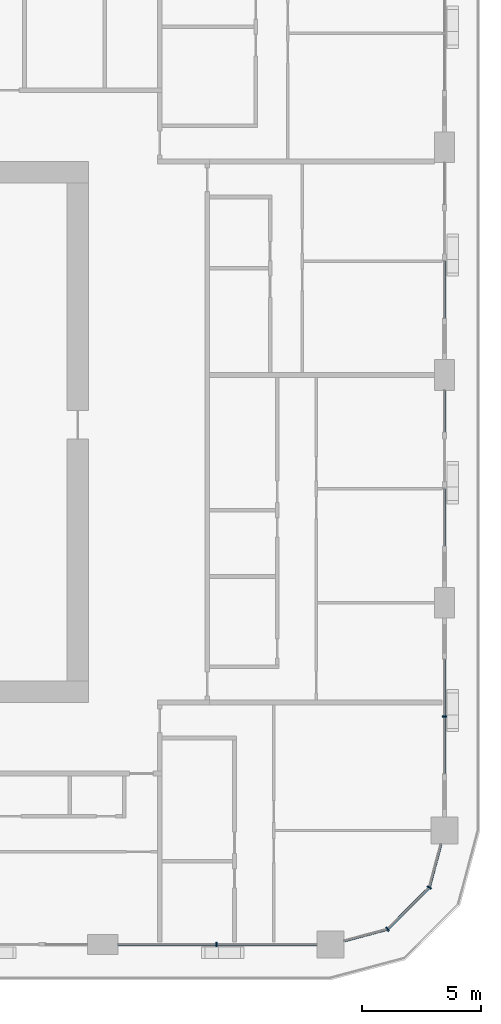
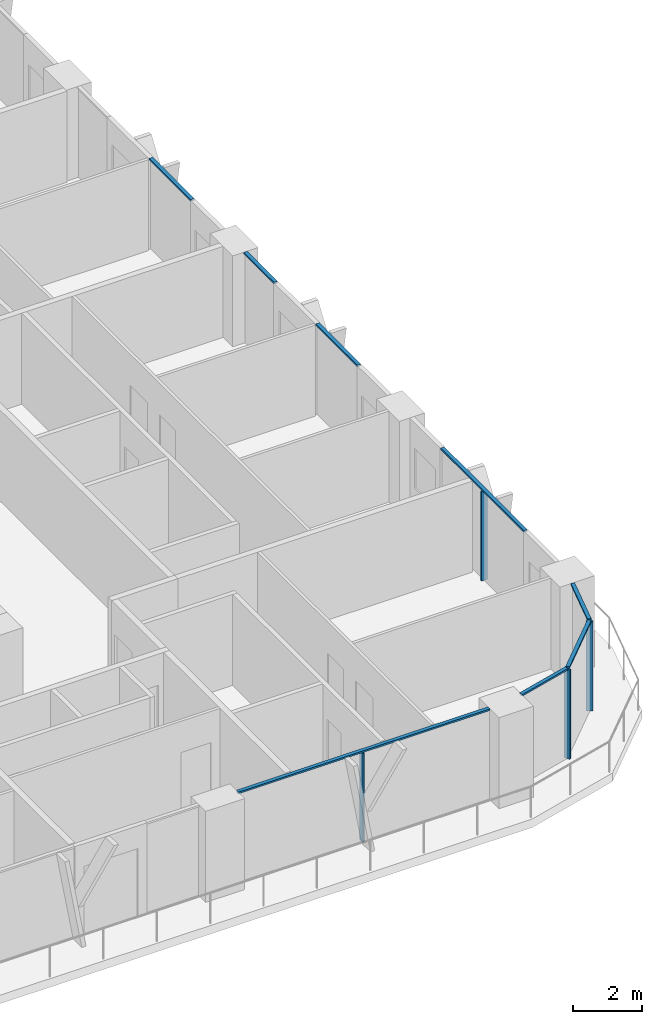
# One storey, part 4 of 21: 12 members, 5 elements without a shape of their own.
"""IFC4 building model written with IfcOpenShell, lengths in metres."""

from ifc_helpers import new_model, si_unit, direction, frame, origin, origin_2d, place, context, subcontext, project, spatial, rectangle, extrude, material, layer, layer_set, material_profile, profile_set, type_object, element, aggregate, save


model = new_model("IFC4")

# Units and contexts
model_context = context("Model", 3, precision=1e-05, world=origin(), true_north=direction((0.0, 1.0)))
body_context = subcontext(model_context, "Body", "Model", "MODEL_VIEW")
ifc_project = project(units=[si_unit("LENGTHUNIT", "METRE"), si_unit("AREAUNIT", "SQUARE_METRE"), si_unit("VOLUMEUNIT", "CUBIC_METRE"), si_unit("PLANEANGLEUNIT", "RADIAN"), si_unit("MASSUNIT", "GRAM", prefix="KILO")], contexts=[model_context])

# Site, building, storey
site_placement = place(None, origin())
site = spatial("IfcSite", under=ifc_project, at=site_placement, CompositionType="ELEMENT")
building_placement = place(site_placement, origin())
building = spatial("IfcBuilding", under=site, at=building_placement, Name="Madar Terraces", CompositionType="ELEMENT")
storey_placement = place(building_placement, frame((0.0, 0.0, 96.199951171875)))
storey = spatial("IfcBuildingStorey", under=building, at=storey_placement, Name="L24", CompositionType="ELEMENT", Elevation=96.199951171875)

# Curtain wall, member
ifc_material_1 = material(Name="Glass, ceramic frit dark grey, with black aluminium frame", Category="aluminium")
ifc_layer = layer(ifc_material_1, 0.199951171875)
ifc_layer_set = layer_set([ifc_layer], Name="Facade curtain wall, fritted glass")
curtain_wall_type = type_object("IfcCurtainWallType", Name="Facade curtain wall, fritted glass", PredefinedType="NOTDEFINED", material=ifc_layer_set)
curtain_wall_1_placement = place(storey_placement, origin())
curtain_wall_1 = element("IfcCurtainWall", 1, at=curtain_wall_1_placement, inside=storey, type_object=curtain_wall_type, Name="Outer skin curtain wall south bay 5", PredefinedType="NOTDEFINED")
ifc_material_2 = material(Name="Aluminium, black anodised", Category="aluminium")
ifc_material_profile_1 = material_profile(ifc_material_2, rectangle(XDim=0.199951171875, YDim=0.06005859375, at=origin_2d()), Name="Facade mullion 60x200")
ifc_profile_set_1 = profile_set([ifc_material_profile_1], Name="Aluminium, black anodised")
member_type_1 = type_object("IfcMemberType", Name="Facade mullion 60x200", PredefinedType="MULLION", material=ifc_profile_set_1)
member_1_placement = place(storey_placement, frame((52.800048828125, 4.800048828125, 0.0), z_axis=(0.0, 0.0, 1.0), x_axis=(0.0, 1.0, 0.0)))
member_1 = element("IfcMember", 2, at=member_1_placement, type_object=member_type_1, Name="Mullion 1", PredefinedType="MULLION", context=body_context, shape_type="SweptSolid", body=[
    extrude(rectangle(XDim=0.199951171875, YDim=0.06005859375, at=origin_2d()), origin(), (0.0, 0.0, 1.0), 3.14013671875),
])

curtain_wall_2_placement = place(storey_placement, origin())
curtain_wall_2 = element("IfcCurtainWall", 3, at=curtain_wall_2_placement, inside=storey, type_object=curtain_wall_type, Name="Outer skin curtain wall east bay 1", PredefinedType="NOTDEFINED")
member_2_placement = place(storey_placement, frame((62.39990234375, 14.39990234375, 0.0), z_axis=(0.0, 0.0, 1.0), x_axis=(-1.0, 0.0, 0.0)))
member_2 = element("IfcMember", 4, at=member_2_placement, type_object=member_type_1, Name="Mullion 1", PredefinedType="MULLION", context=body_context, shape_type="SweptSolid", body=[
    extrude(rectangle(XDim=0.199951171875, YDim=0.06005859375, at=origin_2d()), origin(), (0.0, 0.0, 1.0), 3.14013671875),
])

# Curtain wall, members
curtain_wall_3_placement = place(storey_placement, origin())
curtain_wall_3 = element("IfcCurtainWall", 5, at=curtain_wall_3_placement, inside=storey, type_object=curtain_wall_type, Name="Outer skin curtain wall south-east corner", PredefinedType="NOTDEFINED")
member_3_placement = place(storey_placement, frame((60.0, 5.443115234375, 0.0), z_axis=(0.0, 0.0, 1.0), x_axis=(-0.499999989586, 0.866025409797, 0.0)))
member_3 = element("IfcMember", 6, at=member_3_placement, type_object=member_type_1, Name="Mullion 1", PredefinedType="MULLION", context=body_context, shape_type="SweptSolid", body=[
    extrude(rectangle(XDim=0.199951171875, YDim=0.06005859375, at=origin_2d()), origin(), (0.0, 0.0, 1.0), 3.14013671875),
])
member_4_placement = place(storey_placement, frame((61.7568359375, 7.199951171875, 0.0), z_axis=(0.0, 0.0, 1.0), x_axis=(-0.866025409797, 0.499999989586, 0.0)))
member_4 = element("IfcMember", 7, at=member_4_placement, type_object=member_type_1, Name="Mullion 2", PredefinedType="MULLION", context=body_context, shape_type="SweptSolid", body=[
    extrude(rectangle(XDim=0.199951171875, YDim=0.06005859375, at=origin_2d()), origin(), (0.0, 0.0, 1.0), 3.14013671875),
])

# Member
ifc_material_3 = material(Name="Aluminium, black anodised", Category="aluminium")
ifc_material_profile_2 = material_profile(ifc_material_3, rectangle(XDim=0.1201171875, YDim=0.06005859375, at=origin_2d()), Name="Facade transom 60x120")
ifc_profile_set_2 = profile_set([ifc_material_profile_2], Name="Aluminium, black anodised")
member_type_2 = type_object("IfcMemberType", Name="Facade transom 60x120", PredefinedType="USERDEFINED", material=ifc_profile_set_2)
member_5_placement = place(storey_placement, frame((48.64990234375, 4.800048828125, 3.170166015625), z_axis=(1.0, 0.0, 0.0), x_axis=(0.0, 1.0, 0.0)))
member_5 = element("IfcMember", 8, at=member_5_placement, type_object=member_type_2, Name="Transom 1", ObjectType="TRANSOM", PredefinedType="USERDEFINED", context=body_context, shape_type="SweptSolid", body=[
    extrude(rectangle(XDim=0.1201171875, YDim=0.06005859375, at=origin_2d()), origin(), (0.0, 0.0, 1.0), 8.375),
])

aggregate(curtain_wall_1, [member_1, member_5])

member_6_placement = place(storey_placement, frame((62.39990234375, 12.0, 3.170166015625), z_axis=(0.0, 1.0, 0.0), x_axis=(-1.0, 0.0, 0.0)))
member_6 = element("IfcMember", 9, at=member_6_placement, type_object=member_type_2, Name="Transom 1", ObjectType="TRANSOM", PredefinedType="USERDEFINED", context=body_context, shape_type="SweptSolid", body=[
    extrude(rectangle(XDim=0.1201171875, YDim=0.06005859375, at=origin_2d()), origin(), (0.0, 0.0, 1.0), 4.800048828125),
])

aggregate(curtain_wall_2, [member_2, member_6])

# Curtain wall, members
curtain_wall_4_placement = place(storey_placement, origin())
curtain_wall_4 = element("IfcCurtainWall", 10, at=curtain_wall_4_placement, inside=storey, type_object=curtain_wall_type, Name="Outer skin curtain wall east bay 2", PredefinedType="NOTDEFINED")
member_7_placement = place(storey_placement, frame((62.39990234375, 21.60009765625, 3.170166015625), z_axis=(0.0, 1.0, 0.0), x_axis=(-1.0, 0.0, 0.0)))
member_7 = element("IfcMember", 11, at=member_7_placement, type_object=member_type_2, Name="Transom 1", ObjectType="TRANSOM", PredefinedType="USERDEFINED", context=body_context, shape_type="SweptSolid", body=[
    extrude(rectangle(XDim=0.1201171875, YDim=0.06005859375, at=origin_2d()), origin(), (0.0, 0.0, 1.0), 2.39990234375),
])
member_8_placement = place(storey_placement, frame((62.39990234375, 26.39990234375, 3.170166015625), z_axis=(0.0, 1.0, 0.0), x_axis=(-1.0, 0.0, 0.0)))
member_8 = element("IfcMember", 12, at=member_8_placement, type_object=member_type_2, Name="Transom 2", ObjectType="TRANSOM", PredefinedType="USERDEFINED", context=body_context, shape_type="SweptSolid", body=[
    extrude(rectangle(XDim=0.1201171875, YDim=0.06005859375, at=origin_2d()), origin(), (0.0, 0.0, 1.0), 1.75),
])
aggregate(curtain_wall_4, [member_7, member_8])

# Curtain wall, member
curtain_wall_5_placement = place(storey_placement, origin())
curtain_wall_5 = element("IfcCurtainWall", 13, at=curtain_wall_5_placement, inside=storey, type_object=curtain_wall_type, Name="Outer skin curtain wall east bay 3", PredefinedType="NOTDEFINED")
member_9_placement = place(storey_placement, frame((62.39990234375, 31.199951171875, 3.170166015625), z_axis=(0.0, 1.0, 0.0), x_axis=(-1.0, 0.0, 0.0)))
member_9 = element("IfcMember", 14, at=member_9_placement, type_object=member_type_2, Name="Transom 1", ObjectType="TRANSOM", PredefinedType="USERDEFINED", context=body_context, shape_type="SweptSolid", body=[
    extrude(rectangle(XDim=0.1201171875, YDim=0.06005859375, at=origin_2d()), origin(), (0.0, 0.0, 1.0), 2.400146484375),
])
aggregate(curtain_wall_5, [member_9])

# Member
member_10_placement = place(storey_placement, frame((58.175048828125, 4.9541015625, 3.170166015625), z_axis=(0.965926950947, 0.258814847786, 0.0), x_axis=(-0.258814847786, 0.965926950947, 0.0)))
member_10 = element("IfcMember", 15, at=member_10_placement, type_object=member_type_2, Name="Transom 1", ObjectType="TRANSOM", PredefinedType="USERDEFINED", context=body_context, shape_type="SweptSolid", body=[
    extrude(rectangle(XDim=0.1201171875, YDim=0.06005859375, at=origin_2d()), origin(), (0.0, 0.0, 1.0), 1.859130859375),
])

member_11_placement = place(storey_placement, frame((60.021240234375, 5.46435546875, 3.170166015625), z_axis=(0.707106781187, 0.707106781187, 0.0), x_axis=(-0.707106781187, 0.707106781187, 0.0)))
member_11 = element("IfcMember", 16, at=member_11_placement, type_object=member_type_2, Name="Transom 2", ObjectType="TRANSOM", PredefinedType="USERDEFINED", context=body_context, shape_type="SweptSolid", body=[
    extrude(rectangle(XDim=0.1201171875, YDim=0.06005859375, at=origin_2d()), origin(), (0.0, 0.0, 1.0), 2.424560546875),
])

member_12_placement = place(storey_placement, frame((61.7646484375, 7.22900390625, 3.170166015625), z_axis=(0.258814847786, 0.965926950947, 0.0), x_axis=(-0.965926950947, 0.258814847786, 0.0)))
member_12 = element("IfcMember", 17, at=member_12_placement, type_object=member_type_2, Name="Transom 3", ObjectType="TRANSOM", PredefinedType="USERDEFINED", context=body_context, shape_type="SweptSolid", body=[
    extrude(rectangle(XDim=0.1201171875, YDim=0.06005859375, at=origin_2d()), origin(), (0.0, 0.0, 1.0), 1.859130859375),
])

aggregate(curtain_wall_3, [member_3, member_10, member_4, member_11, member_12])

save(model, "model.ifc")
